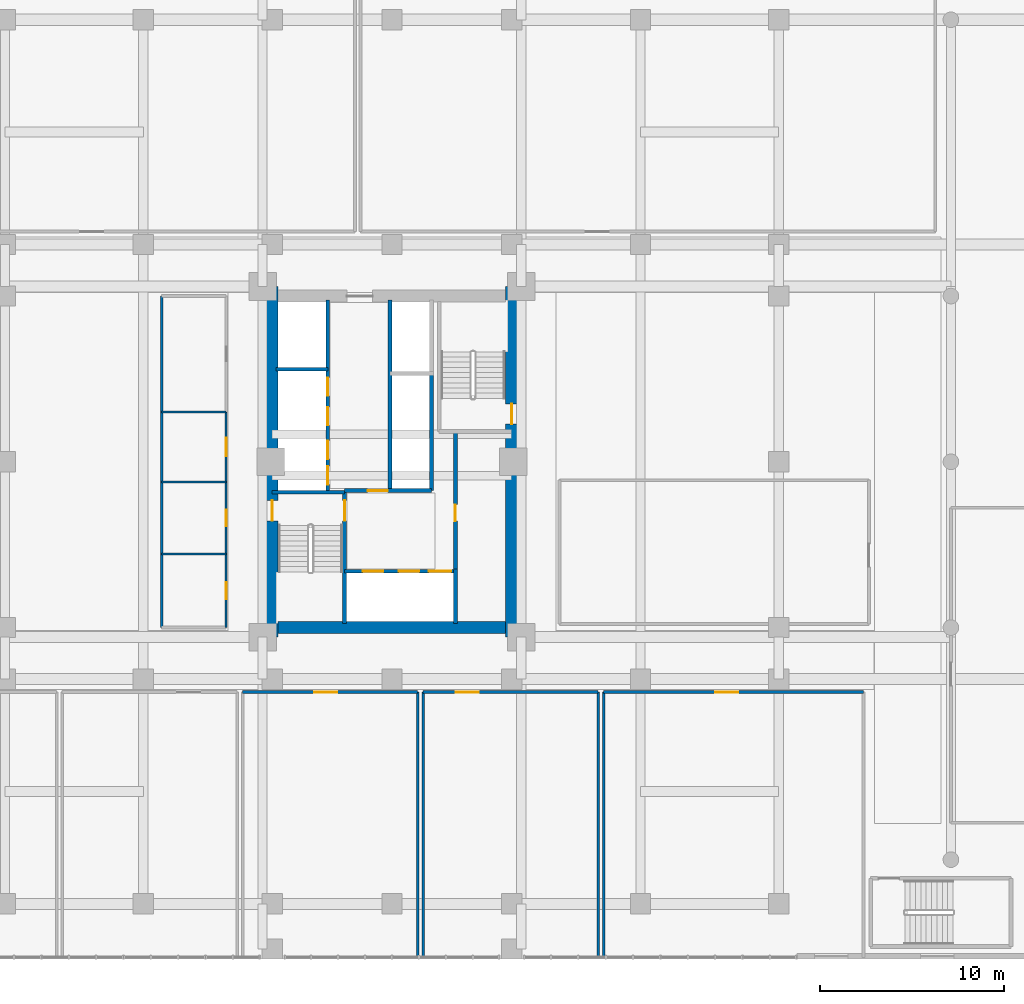
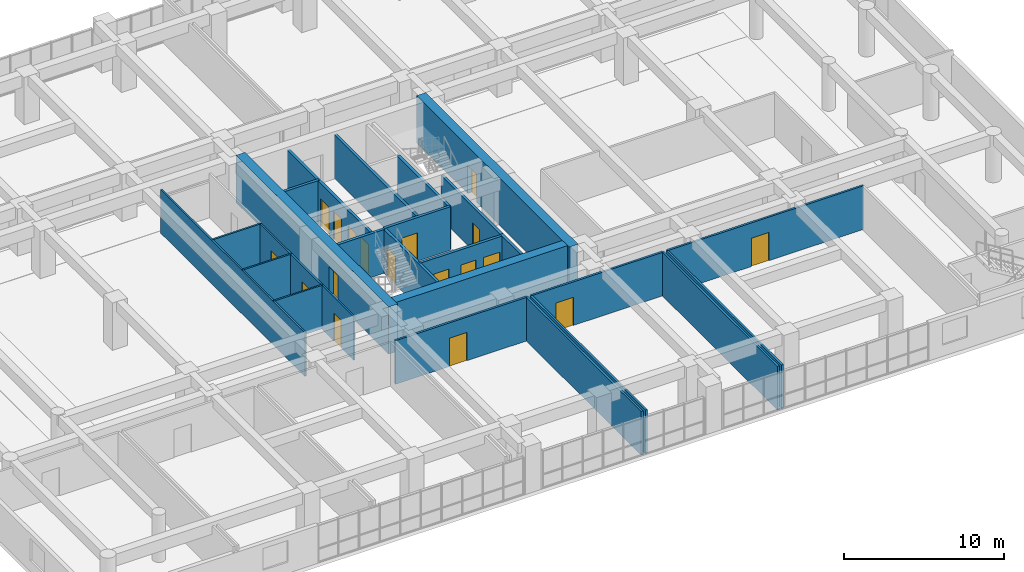
# One storey, part 15 of 27: 27 walls, 18 doors, 18 openings.
"""IFC4 building model written with IfcOpenShell, lengths in metres."""

from ifc_helpers import new_model, si_unit, direction, frame, frame_2d, origin, place, context, subcontext, project, spatial, rectangle, extrude, source, transform, mapped, material, layer, layer_set, type_object, element, fill, save


model = new_model("IFC4")

# Units and contexts
model_context = context("Model", 3, precision=1e-05, world=origin(), true_north=direction((0.0, 1.0)))
body_context = subcontext(model_context, "Body", "Model", "MODEL_VIEW")
ifc_project = project(units=[si_unit("LENGTHUNIT", "METRE"), si_unit("AREAUNIT", "SQUARE_METRE"), si_unit("VOLUMEUNIT", "CUBIC_METRE"), si_unit("PLANEANGLEUNIT", "RADIAN"), si_unit("MASSUNIT", "GRAM", prefix="KILO")], contexts=[model_context])

# Site, building, storey
site_placement = place(None, origin())
site = spatial("IfcSite", under=ifc_project, at=site_placement, CompositionType="ELEMENT")
building_placement = place(site_placement, origin())
building = spatial("IfcBuilding", under=site, at=building_placement, Name="Saelheon Loggia Tower", CompositionType="ELEMENT")
storey_placement = place(building_placement, frame((0.0, 0.0, 4.199951171875)))
storey = spatial("IfcBuildingStorey", under=building, at=storey_placement, Name="L01", CompositionType="ELEMENT", Elevation=4.199951171875)

# Wall, opening, door
ifc_material_1 = material(Name="Concrete C60/75", Category="concrete")
ifc_layer_1 = layer(ifc_material_1, 0.64990234375)
ifc_layer_set_1 = layer_set([ifc_layer_1], Name="Concrete C60/75")
wall_type_1 = type_object("IfcWallType", Name="Wall_CoreShear_650", PredefinedType="SHEAR", material=ifc_layer_set_1)
wall_1_placement = place(storey_placement, frame((31.5, 17.47998046875, 0.0), z_axis=(0.0, 0.0, 1.0), x_axis=(0.0, 1.0, 0.0)))
wall_1 = element("IfcWall", 1, at=wall_1_placement, inside=storey, type_object=wall_type_1, Name="L01 Core Shear Wall West", PredefinedType="SHEAR", context=body_context, shape_type="SweptSolid", body=[
    extrude(rectangle(XDim=19.0400390625, YDim=0.64990234375, at=frame_2d((9.52001953125, 0.0))), origin(), (0.0, 0.0, 1.0), 3.60009765625),
])
opening_1_placement = place(wall_1_placement, frame((6.320068359375, 0.0, 0.0)))
opening_1 = element("IfcOpeningElement", 2, at=opening_1_placement, cuts=wall_1, Name="Opening D-FD2", PredefinedType="OPENING", context=body_context, shape_type="SweptSolid", body=[
    extrude(rectangle(XDim=1.10009765625, YDim=2.14990234375, at=frame_2d((0.550048828125, 1.074951171875))), frame((0.0, 0.3369140625, 0.0), z_axis=(0.0, -1.0, 0.0), x_axis=(1.0, 0.0, 0.0)), (0.0, 0.0, 1.0), 0.673828125),
])
ifc_material_2 = material(Name="Galvanised Steel Fire Door", Category="steel")
door_type_1 = type_object("IfcDoorType", Name="Door_Fire_FD60_1100", OperationType="NOTDEFINED", PredefinedType="DOOR", material=ifc_material_2)
shared_shape_1 = source(origin(), body_context, "Body", "SweptSolid", [
    extrude(rectangle(XDim=1.10009765625, YDim=2.14990234375, at=frame_2d((0.550048828125, 1.074951171875))), frame((0.0, 0.02490234375, 0.0), z_axis=(0.0, -1.0, 0.0), x_axis=(1.0, 0.0, 0.0)), (0.0, 0.0, 1.0), 0.050048828125),
])
door_1_placement = place(opening_1_placement, origin())
door_1 = element("IfcDoor", 3, at=door_1_placement, inside=storey, type_object=door_type_1, Name="L01 Stair ST1 Corridor Door", OperationType="SINGLE_SWING_LEFT", OverallHeight=2.14990234375, OverallWidth=1.10009765625, PredefinedType="DOOR", context=body_context, shape_type="MappedRepresentation", body=[
    mapped(shared_shape_1, transform((0.0, 0.0, 0.0), scale=1.0)),
])
fill(opening_1, door_1)

wall_2_placement = place(storey_placement, frame((44.5, 17.47998046875, 0.0), z_axis=(0.0, 0.0, 1.0), x_axis=(0.0, 1.0, 0.0)))
wall_2 = element("IfcWall", 4, at=wall_2_placement, inside=storey, type_object=wall_type_1, Name="L01 Core Shear Wall East", PredefinedType="SHEAR", context=body_context, shape_type="SweptSolid", body=[
    extrude(rectangle(XDim=19.0400390625, YDim=0.64990234375, at=frame_2d((9.52001953125, 0.0))), origin(), (0.0, 0.0, 1.0), 3.60009765625),
])
opening_2_placement = place(wall_2_placement, frame((12.670166015625, 0.0, 0.0), z_axis=(0.0, 0.0, 1.0), x_axis=(-1.0, 0.0, 0.0)))
opening_2 = element("IfcOpeningElement", 5, at=opening_2_placement, cuts=wall_2, Name="Opening D-FD2", PredefinedType="OPENING", context=body_context, shape_type="SweptSolid", body=[
    extrude(rectangle(XDim=1.10009765625, YDim=2.14990234375, at=frame_2d((0.550048828125, 1.074951171875))), frame((0.0, 0.3369140625, 0.0), z_axis=(0.0, -1.0, 0.0), x_axis=(1.0, 0.0, 0.0)), (0.0, 0.0, 1.0), 0.673828125),
])
door_2_placement = place(opening_2_placement, origin())
door_2 = element("IfcDoor", 6, at=door_2_placement, inside=storey, type_object=door_type_1, Name="L01 Stair ST2 Corridor Door", OperationType="SINGLE_SWING_RIGHT", OverallHeight=2.14990234375, OverallWidth=1.10009765625, PredefinedType="DOOR", context=body_context, shape_type="MappedRepresentation", body=[
    mapped(shared_shape_1, transform((0.0, 0.0, 0.0), scale=1.0)),
])
fill(opening_2, door_2)

# Wall
wall_3_placement = place(storey_placement, frame((31.824951171875, 18.0, 0.0), z_axis=(0.0, 0.0, 1.0), x_axis=(1.0, 0.0, 0.0)))
element("IfcWall", 7, at=wall_3_placement, inside=storey, type_object=wall_type_1, Name="L01 Core Shear Wall South", PredefinedType="SHEAR", context=body_context, shape_type="SweptSolid", body=[
    extrude(rectangle(XDim=12.35009765625, YDim=0.64990234375, at=frame_2d((6.175048828125, 0.0))), origin(), (0.0, 0.0, 1.0), 3.60009765625),
])

# Wall, opening, door
ifc_material_3 = material(Name="Lightweight Autoclaved Aerated Concrete Block and Acoustic Gypsum", Category="concrete")
ifc_layer_2 = layer(ifc_material_3, 0.14990234375)
ifc_layer_set_2 = layer_set([ifc_layer_2], Name="Lightweight Autoclaved Aerated Concrete Block and Acoustic Gypsum")
wall_type_2 = type_object("IfcWallType", Name="Wall_Part_150", PredefinedType="PARTITIONING", material=ifc_layer_set_2)
wall_4_placement = place(storey_placement, frame((29.89990234375, 14.5, 0.0), z_axis=(0.0, 0.0, 1.0), x_axis=(1.0, 0.0, 0.0)))
wall_4 = element("IfcWall", 8, at=wall_4_placement, inside=storey, type_object=wall_type_2, Name="PW-L01-FAM1B-N", PredefinedType="PARTITIONING", context=body_context, shape_type="SweptSolid", body=[
    extrude(rectangle(XDim=9.5, YDim=0.14990234375, at=frame_2d((4.75, 0.0))), origin(), (0.0, 0.0, 1.0), 3.320068359375),
])
opening_3_placement = place(wall_4_placement, frame((3.88916015625, 0.0, 0.0)))
opening_3 = element("IfcOpeningElement", 9, at=opening_3_placement, cuts=wall_4, Name="Opening D-CL1", PredefinedType="OPENING", context=body_context, shape_type="SweptSolid", body=[
    extrude(rectangle(XDim=1.25, YDim=2.14990234375, at=frame_2d((0.625, 1.074951171875))), frame((0.0, 0.0869140625, 0.0), z_axis=(0.0, -1.0, 0.0), x_axis=(1.0, 0.0, 0.0)), (0.0, 0.0, 1.0), 0.173828125),
])
ifc_material_4 = material(Name="Antimicrobial Hospital Laminate Door", Category="timber")
door_type_2 = type_object("IfcDoorType", Name="Door_Clinic_1250", OperationType="NOTDEFINED", PredefinedType="DOOR", material=ifc_material_4)
shared_shape_2 = source(origin(), body_context, "Body", "SweptSolid", [
    extrude(rectangle(XDim=1.25, YDim=2.14990234375, at=frame_2d((0.625, 1.074951171875))), frame((0.0, 0.02490234375, 0.0), z_axis=(0.0, -1.0, 0.0), x_axis=(1.0, 0.0, 0.0)), (0.0, 0.0, 1.0), 0.050048828125),
])
door_3_placement = place(opening_3_placement, origin())
door_3 = element("IfcDoor", 10, at=door_3_placement, inside=storey, type_object=door_type_2, Name="L01 Family Medicine Clinic B Door", OperationType="SINGLE_SWING_LEFT", OverallHeight=2.14990234375, OverallWidth=1.25, PredefinedType="DOOR", context=body_context, shape_type="MappedRepresentation", body=[
    mapped(shared_shape_2, transform((0.0, 0.0, 0.0), scale=1.0)),
])
fill(opening_3, door_3)

# Wall
wall_5_placement = place(storey_placement, frame((39.39990234375, 0.10009765625, 0.0), z_axis=(0.0, 0.0, 1.0), x_axis=(0.0, 1.0, 0.0)))
element("IfcWall", 11, at=wall_5_placement, inside=storey, type_object=wall_type_2, Name="PW-L01-FAM1B-E", PredefinedType="PARTITIONING", context=body_context, shape_type="SweptSolid", body=[
    extrude(rectangle(XDim=14.39990234375, YDim=0.14990234375, at=frame_2d((7.199951171875, 0.0))), origin(), (0.0, 0.0, 1.0), 3.320068359375),
])

# Wall, opening, door
wall_6_placement = place(storey_placement, frame((39.699951171875, 14.5, 0.0), z_axis=(0.0, 0.0, 1.0), x_axis=(1.0, 0.0, 0.0)))
wall_6 = element("IfcWall", 12, at=wall_6_placement, inside=storey, type_object=wall_type_2, Name="PW-L01-FAM2A-N", PredefinedType="PARTITIONING", context=body_context, shape_type="SweptSolid", body=[
    extrude(rectangle(XDim=9.5, YDim=0.14990234375, at=frame_2d((4.75, 0.0))), origin(), (0.0, 0.0, 1.0), 3.320068359375),
])
opening_4_placement = place(wall_6_placement, frame((1.765625, 0.0, 0.0)))
opening_4 = element("IfcOpeningElement", 13, at=opening_4_placement, cuts=wall_6, Name="Opening D-CL1", PredefinedType="OPENING", context=body_context, shape_type="SweptSolid", body=[
    extrude(rectangle(XDim=1.25, YDim=2.14990234375, at=frame_2d((0.625, 1.074951171875))), frame((0.0, 0.0869140625, 0.0), z_axis=(0.0, -1.0, 0.0), x_axis=(1.0, 0.0, 0.0)), (0.0, 0.0, 1.0), 0.173828125),
])
door_4_placement = place(opening_4_placement, origin())
door_4 = element("IfcDoor", 14, at=door_4_placement, inside=storey, type_object=door_type_2, Name="L01 Internal Medicine Clinic A Door", OperationType="SINGLE_SWING_RIGHT", OverallHeight=2.14990234375, OverallWidth=1.25, PredefinedType="DOOR", context=body_context, shape_type="MappedRepresentation", body=[
    mapped(shared_shape_2, transform((0.0, 0.0, 0.0), scale=1.0)),
])
fill(opening_4, door_4)

# Walls
for number, where, z_axis, x_axis, name in (
    (15, (39.699951171875, 0.10009765625, 0.0), (0.0, 0.0, 1.0), (0.0, 1.0, 0.0), "PW-L01-FAM2A-W"),
    (16, (49.199951171875, 0.10009765625, 0.0), (0.0, 0.0, 1.0), (0.0, 1.0, 0.0), "PW-L01-FAM2A-E"),
):
    element("IfcWall", number, at=place(storey_placement, frame(where, z_axis=z_axis, x_axis=x_axis)), inside=storey, type_object=wall_type_2, Name=name, PredefinedType="PARTITIONING", context=body_context, shape_type="SweptSolid", body=[
        extrude(rectangle(XDim=14.39990234375, YDim=0.14990234375, at=frame_2d((7.199951171875, 0.0))), origin(), (0.0, 0.0, 1.0), 3.320068359375),
    ])

# Wall, opening, door
wall_7_placement = place(storey_placement, frame((49.5, 14.5, 0.0), z_axis=(0.0, 0.0, 1.0), x_axis=(1.0, 0.0, 0.0)))
wall_7 = element("IfcWall", 17, at=wall_7_placement, inside=storey, type_object=wall_type_2, Name="PW-L01-FAM2B-N", PredefinedType="PARTITIONING", context=body_context, shape_type="SweptSolid", body=[
    extrude(rectangle(XDim=14.10009765625, YDim=0.14990234375, at=frame_2d((7.050048828125, 0.0))), origin(), (0.0, 0.0, 1.0), 3.320068359375),
])
opening_5_placement = place(wall_7_placement, frame((6.04541015625, 0.0, 0.0)))
opening_5 = element("IfcOpeningElement", 18, at=opening_5_placement, cuts=wall_7, Name="Opening D-CL1", PredefinedType="OPENING", context=body_context, shape_type="SweptSolid", body=[
    extrude(rectangle(XDim=1.25, YDim=2.14990234375, at=frame_2d((0.625, 1.074951171875))), frame((0.0, 0.0869140625, 0.0), z_axis=(0.0, -1.0, 0.0), x_axis=(1.0, 0.0, 0.0)), (0.0, 0.0, 1.0), 0.173828125),
])
door_5_placement = place(opening_5_placement, origin())
door_5 = element("IfcDoor", 19, at=door_5_placement, inside=storey, type_object=door_type_2, Name="L01 Cardiology Waiting Concourse Door", OperationType="SINGLE_SWING_LEFT", OverallHeight=2.14990234375, OverallWidth=1.25, PredefinedType="DOOR", context=body_context, shape_type="MappedRepresentation", body=[
    mapped(shared_shape_2, transform((0.0, 0.0, 0.0), scale=1.0)),
])
fill(opening_5, door_5)

# Walls
wall_8_placement = place(storey_placement, frame((49.5, 0.10009765625, 0.0), z_axis=(0.0, 0.0, 1.0), x_axis=(0.0, 1.0, 0.0)))
element("IfcWall", 20, at=wall_8_placement, inside=storey, type_object=wall_type_2, Name="PW-L01-FAM2B-W", PredefinedType="PARTITIONING", context=body_context, shape_type="SweptSolid", body=[
    extrude(rectangle(XDim=14.39990234375, YDim=0.14990234375, at=frame_2d((7.199951171875, 0.0))), origin(), (0.0, 0.0, 1.0), 3.320068359375),
])
ifc_material_5 = material(Name="Concrete C40/50", Category="concrete")
ifc_layer_3 = layer(ifc_material_5, 0.199951171875)
ifc_layer_set_3 = layer_set([ifc_layer_3], Name="Concrete C40/50")
wall_type_3 = type_object("IfcWallType", Name="Wall_Shaft_200", PredefinedType="PARTITIONING", material=ifc_layer_set_3)
wall_9_placement = place(storey_placement, frame((41.449951171875, 18.219970703125, 0.0), z_axis=(0.0, 0.0, 1.0), x_axis=(0.0, 1.0, 0.0)))
element("IfcWall", 21, at=wall_9_placement, inside=storey, type_object=wall_type_3, Name="CW-INT-L01-BOH-W0", PredefinedType="PARTITIONING", context=body_context, shape_type="SweptSolid", body=[
    extrude(rectangle(XDim=2.9599609375, YDim=0.199951171875, at=frame_2d((1.47998046875, 0.0))), origin(), (0.0, 0.0, 1.0), 3.320068359375),
])

# Wall, opening, door
wall_10_placement = place(storey_placement, frame((41.449951171875, 21.179931640625, 0.0), z_axis=(0.0, 0.0, 1.0), x_axis=(0.0, 1.0, 0.0)))
wall_10 = element("IfcWall", 22, at=wall_10_placement, inside=storey, type_object=wall_type_3, Name="CW-INT-L01-BOH-W1", PredefinedType="PARTITIONING", context=body_context, shape_type="SweptSolid", body=[
    extrude(rectangle(XDim=7.420166015625, YDim=0.199951171875, at=frame_2d((3.7099609375, 0.0))), origin(), (0.0, 0.0, 1.0), 3.320068359375),
])
opening_6_placement = place(wall_10_placement, frame((2.60009765625, 0.0, 0.0)))
opening_6 = element("IfcOpeningElement", 23, at=opening_6_placement, cuts=wall_10, Name="Opening D-RS1", PredefinedType="OPENING", context=body_context, shape_type="SweptSolid", body=[
    extrude(rectangle(XDim=0.89990234375, YDim=2.10009765625, at=frame_2d((0.449951171875, 1.050048828125))), frame((0.0, 0.112060546875, 0.0), z_axis=(0.0, -1.0, 0.0), x_axis=(1.0, 0.0, 0.0)), (0.0, 0.0, 1.0), 0.223876953125),
])
ifc_material_6 = material(Name="Galvanised Steel Riser Access Door", Category="steel")
door_type_3 = type_object("IfcDoorType", Name="Door_Riser_FD60", OperationType="NOTDEFINED", PredefinedType="DOOR", material=ifc_material_6)
shared_shape_3 = source(origin(), body_context, "Body", "SweptSolid", [
    extrude(rectangle(XDim=0.89990234375, YDim=2.10009765625, at=frame_2d((0.449951171875, 1.050048828125))), frame((0.0, 0.02490234375, 0.0), z_axis=(0.0, -1.0, 0.0), x_axis=(1.0, 0.0, 0.0)), (0.0, 0.0, 1.0), 0.050048828125),
])
door_6_placement = place(opening_6_placement, origin())
door_6 = element("IfcDoor", 24, at=door_6_placement, inside=storey, type_object=door_type_3, Name="L01 Core Service Store Door", OperationType="SINGLE_SWING_LEFT", OverallHeight=2.10009765625, OverallWidth=0.89990234375, PredefinedType="DOOR", context=body_context, shape_type="MappedRepresentation", body=[
    mapped(shared_shape_3, transform((0.0, 0.0, 0.0), scale=1.0)),
])
fill(opening_6, door_6)

# Wall
wall_11_placement = place(storey_placement, frame((40.14990234375, 25.43994140625, 0.0), z_axis=(0.0, 0.0, 1.0), x_axis=(0.0, 1.0, 0.0)))
element("IfcWall", 25, at=wall_11_placement, inside=storey, type_object=wall_type_3, Name="L01 Core Service Passage West Wall", PredefinedType="PARTITIONING", context=body_context, shape_type="SweptSolid", body=[
    extrude(rectangle(XDim=6.360107421875, YDim=0.199951171875, at=frame_2d((3.18017578125, 0.0))), origin(), (0.0, 0.0, 1.0), 3.320068359375),
])

# Wall, openings, doors
wall_12_placement = place(storey_placement, frame((35.429931640625, 21.06005859375, 0.0), z_axis=(0.0, 0.0, 1.0), x_axis=(1.0, 0.0, 0.0)))
wall_12 = element("IfcWall", 26, at=wall_12_placement, inside=storey, type_object=wall_type_3, Name="L01 Firefighting Lift Shaft Front Wall", PredefinedType="PARTITIONING", context=body_context, shape_type="SweptSolid", body=[
    extrude(rectangle(XDim=6.02001953125, YDim=0.199951171875, at=frame_2d((3.010009765625, 0.0))), origin(), (0.0, 0.0, 1.0), 3.320068359375),
])
opening_7_placement = place(wall_12_placement, frame((1.0, 0.0, 0.0)))
opening_7 = element("IfcOpeningElement", 27, at=opening_7_placement, cuts=wall_12, Name="Opening LD2", PredefinedType="OPENING", context=body_context, shape_type="SweptSolid", body=[
    extrude(rectangle(XDim=1.10009765625, YDim=2.14990234375, at=frame_2d((0.550048828125, 1.074951171875))), frame((0.0, 0.112060546875, 0.0), z_axis=(0.0, -1.0, 0.0), x_axis=(1.0, 0.0, 0.0)), (0.0, 0.0, 1.0), 0.223876953125),
])
opening_8_placement = place(wall_12_placement, frame((2.949951171875, 0.0, 0.0)))
opening_8 = element("IfcOpeningElement", 28, at=opening_8_placement, cuts=wall_12, Name="Opening LD2", PredefinedType="OPENING", context=body_context, shape_type="SweptSolid", body=[
    extrude(rectangle(XDim=1.10009765625, YDim=2.14990234375, at=frame_2d((0.550048828125, 1.074951171875))), frame((0.0, 0.112060546875, 0.0), z_axis=(0.0, -1.0, 0.0), x_axis=(1.0, 0.0, 0.0)), (0.0, 0.0, 1.0), 0.223876953125),
])
opening_9_placement = place(wall_12_placement, frame((4.580078125, 0.0, 0.0)))
opening_9 = element("IfcOpeningElement", 29, at=opening_9_placement, cuts=wall_12, Name="Opening LD3", PredefinedType="OPENING", context=body_context, shape_type="SweptSolid", body=[
    extrude(rectangle(XDim=1.199951171875, YDim=2.14990234375, at=frame_2d((0.60009765625, 1.074951171875))), frame((0.0, 0.112060546875, 0.0), z_axis=(0.0, -1.0, 0.0), x_axis=(1.0, 0.0, 0.0)), (0.0, 0.0, 1.0), 0.223876953125),
])
ifc_material_7 = material(Name="Firefighting Stainless Steel 316 Landing Door", Category="steel")
door_type_4 = type_object("IfcDoorType", Name="Door_Lift_LD2", OperationType="DOUBLE_DOOR_SLIDING", PredefinedType="DOOR", material=ifc_material_7)
door_7_placement = place(opening_7_placement, origin())
door_7 = element("IfcDoor", 30, at=door_7_placement, inside=storey, type_object=door_type_4, Name="L01 FF1 Landing Door", OperationType="DOUBLE_DOOR_SLIDING", OverallHeight=2.14990234375, OverallWidth=1.10009765625, PredefinedType="DOOR", context=body_context, shape_type="MappedRepresentation", body=[
    mapped(shared_shape_1, transform((0.0, 0.0, 0.0), scale=1.0)),
])
fill(opening_7, door_7)
door_8_placement = place(opening_8_placement, origin())
door_8 = element("IfcDoor", 31, at=door_8_placement, inside=storey, type_object=door_type_4, Name="L01 FF2 Landing Door", OperationType="DOUBLE_DOOR_SLIDING", OverallHeight=2.14990234375, OverallWidth=1.10009765625, PredefinedType="DOOR", context=body_context, shape_type="MappedRepresentation", body=[
    mapped(shared_shape_1, transform((0.0, 0.0, 0.0), scale=1.0)),
])
fill(opening_8, door_8)
ifc_material_8 = material(Name="Stretcher Lift Stainless Steel 304 Landing Door", Category="steel")
door_type_5 = type_object("IfcDoorType", Name="Door_Lift_LD3", OperationType="DOUBLE_DOOR_SLIDING", PredefinedType="DOOR", material=ifc_material_8)
shared_shape_4 = source(origin(), body_context, "Body", "SweptSolid", [
    extrude(rectangle(XDim=1.199951171875, YDim=2.14990234375, at=frame_2d((0.60009765625, 1.074951171875))), frame((0.0, 0.02490234375, 0.0), z_axis=(0.0, -1.0, 0.0), x_axis=(1.0, 0.0, 0.0)), (0.0, 0.0, 1.0), 0.050048828125),
])
door_9_placement = place(opening_9_placement, origin())
door_9 = element("IfcDoor", 32, at=door_9_placement, inside=storey, type_object=door_type_5, Name="L01 SV1 Landing Door", OperationType="DOUBLE_DOOR_SLIDING", OverallHeight=2.14990234375, OverallWidth=1.199951171875, PredefinedType="DOOR", context=body_context, shape_type="MappedRepresentation", body=[
    mapped(shared_shape_4, transform((0.0, 0.0, 0.0), scale=1.0)),
])
fill(opening_9, door_9)

# Wall, opening, door
wall_13_placement = place(storey_placement, frame((35.429931640625, 25.43994140625, 0.0), z_axis=(0.0, 0.0, 1.0), x_axis=(1.0, 0.0, 0.0)))
wall_13 = element("IfcWall", 33, at=wall_13_placement, inside=storey, type_object=wall_type_3, Name="L01 Firefighting Lobby Compartment Wall", PredefinedType="PARTITIONING", context=body_context, shape_type="SweptSolid", body=[
    extrude(rectangle(XDim=4.719970703125, YDim=0.199951171875, at=frame_2d((2.35986328125, 0.0))), origin(), (0.0, 0.0, 1.0), 3.320068359375),
])
opening_10_placement = place(wall_13_placement, frame((1.25, 0.0, 0.0)))
opening_10 = element("IfcOpeningElement", 34, at=opening_10_placement, cuts=wall_13, Name="Opening D-FD2", PredefinedType="OPENING", context=body_context, shape_type="SweptSolid", body=[
    extrude(rectangle(XDim=1.10009765625, YDim=2.14990234375, at=frame_2d((0.550048828125, 1.074951171875))), frame((0.0, 0.112060546875, 0.0), z_axis=(0.0, -1.0, 0.0), x_axis=(1.0, 0.0, 0.0)), (0.0, 0.0, 1.0), 0.223876953125),
])
door_10_placement = place(opening_10_placement, origin())
door_10 = element("IfcDoor", 35, at=door_10_placement, inside=storey, type_object=door_type_1, Name="L01 Firefighting Lobby Door", OperationType="SINGLE_SWING_RIGHT", OverallHeight=2.14990234375, OverallWidth=1.10009765625, PredefinedType="DOOR", context=body_context, shape_type="MappedRepresentation", body=[
    mapped(shared_shape_1, transform((0.0, 0.0, 0.0), scale=1.0)),
])
fill(opening_10, door_10)

# Wall, openings, doors
wall_14_placement = place(storey_placement, frame((34.52001953125, 25.43994140625, 0.0), z_axis=(0.0, 0.0, 1.0), x_axis=(0.0, 1.0, 0.0)))
wall_14 = element("IfcWall", 36, at=wall_14_placement, inside=storey, type_object=wall_type_3, Name="L01 West Passenger Lift Bank Wall", PredefinedType="PARTITIONING", context=body_context, shape_type="SweptSolid", body=[
    extrude(rectangle(XDim=10.340087890625, YDim=0.199951171875, at=frame_2d((5.169921875, 0.0))), origin(), (0.0, 0.0, 1.0), 3.320068359375),
])
opening_11_placement = place(wall_14_placement, frame((0.320068359375, 0.0, 0.0)))
opening_11 = element("IfcOpeningElement", 37, at=opening_11_placement, cuts=wall_14, Name="Opening LD1", PredefinedType="OPENING", context=body_context, shape_type="SweptSolid", body=[
    extrude(rectangle(XDim=1.0, YDim=2.14990234375, at=frame_2d((0.5, 1.074951171875))), frame((0.0, 0.112060546875, 0.0), z_axis=(0.0, -1.0, 0.0), x_axis=(1.0, 0.0, 0.0)), (0.0, 0.0, 1.0), 0.223876953125),
])
opening_12_placement = place(wall_14_placement, frame((1.7099609375, 0.0, 0.0)))
opening_12 = element("IfcOpeningElement", 38, at=opening_12_placement, cuts=wall_14, Name="Opening LD1", PredefinedType="OPENING", context=body_context, shape_type="SweptSolid", body=[
    extrude(rectangle(XDim=1.0, YDim=2.14990234375, at=frame_2d((0.5, 1.074951171875))), frame((0.0, 0.112060546875, 0.0), z_axis=(0.0, -1.0, 0.0), x_axis=(1.0, 0.0, 0.0)), (0.0, 0.0, 1.0), 0.223876953125),
])
opening_13_placement = place(wall_14_placement, frame((3.534912109375, 0.0, 0.0)))
opening_13 = element("IfcOpeningElement", 39, at=opening_13_placement, cuts=wall_14, Name="Opening LD1", PredefinedType="OPENING", context=body_context, shape_type="SweptSolid", body=[
    extrude(rectangle(XDim=1.0, YDim=2.14990234375, at=frame_2d((0.5, 1.074951171875))), frame((0.0, 0.112060546875, 0.0), z_axis=(0.0, -1.0, 0.0), x_axis=(1.0, 0.0, 0.0)), (0.0, 0.0, 1.0), 0.223876953125),
])
opening_14_placement = place(wall_14_placement, frame((5.135009765625, 0.0, 0.0)))
opening_14 = element("IfcOpeningElement", 40, at=opening_14_placement, cuts=wall_14, Name="Opening LD1", PredefinedType="OPENING", context=body_context, shape_type="SweptSolid", body=[
    extrude(rectangle(XDim=1.0, YDim=2.14990234375, at=frame_2d((0.5, 1.074951171875))), frame((0.0, 0.112060546875, 0.0), z_axis=(0.0, -1.0, 0.0), x_axis=(1.0, 0.0, 0.0)), (0.0, 0.0, 1.0), 0.223876953125),
])
ifc_material_9 = material(Name="Brushed Stainless Steel 304 Landing Door", Category="steel")
door_type_6 = type_object("IfcDoorType", Name="Door_Lift_LD1", OperationType="DOUBLE_DOOR_SLIDING", PredefinedType="DOOR", material=ifc_material_9)
shared_shape_5 = source(origin(), body_context, "Body", "SweptSolid", [
    extrude(rectangle(XDim=1.0, YDim=2.14990234375, at=frame_2d((0.5, 1.074951171875))), frame((0.0, 0.02490234375, 0.0), z_axis=(0.0, -1.0, 0.0), x_axis=(1.0, 0.0, 0.0)), (0.0, 0.0, 1.0), 0.050048828125),
])
door_11_placement = place(opening_11_placement, origin())
door_11 = element("IfcDoor", 41, at=door_11_placement, inside=storey, type_object=door_type_6, Name="L01 PL1 Landing Door", OperationType="DOUBLE_DOOR_SLIDING", OverallHeight=2.14990234375, OverallWidth=1.0, PredefinedType="DOOR", context=body_context, shape_type="MappedRepresentation", body=[
    mapped(shared_shape_5, transform((0.0, 0.0, 0.0), scale=1.0)),
])
fill(opening_11, door_11)
door_12_placement = place(opening_12_placement, origin())
door_12 = element("IfcDoor", 42, at=door_12_placement, inside=storey, type_object=door_type_6, Name="L01 PL2 Landing Door", OperationType="DOUBLE_DOOR_SLIDING", OverallHeight=2.14990234375, OverallWidth=1.0, PredefinedType="DOOR", context=body_context, shape_type="MappedRepresentation", body=[
    mapped(shared_shape_5, transform((0.0, 0.0, 0.0), scale=1.0)),
])
fill(opening_12, door_12)
door_13_placement = place(opening_13_placement, origin())
door_13 = element("IfcDoor", 43, at=door_13_placement, inside=storey, type_object=door_type_6, Name="L01 PL3 Landing Door", OperationType="DOUBLE_DOOR_SLIDING", OverallHeight=2.14990234375, OverallWidth=1.0, PredefinedType="DOOR", context=body_context, shape_type="MappedRepresentation", body=[
    mapped(shared_shape_5, transform((0.0, 0.0, 0.0), scale=1.0)),
])
fill(opening_13, door_13)
door_14_placement = place(opening_14_placement, origin())
door_14 = element("IfcDoor", 44, at=door_14_placement, inside=storey, type_object=door_type_6, Name="L01 PL4 Landing Door", OperationType="DOUBLE_DOOR_SLIDING", OverallHeight=2.14990234375, OverallWidth=1.0, PredefinedType="DOOR", context=body_context, shape_type="MappedRepresentation", body=[
    mapped(shared_shape_5, transform((0.0, 0.0, 0.0), scale=1.0)),
])
fill(opening_14, door_14)

# Walls
wall_15_placement = place(storey_placement, frame((31.719970703125, 32.02001953125, 0.0), z_axis=(0.0, 0.0, 1.0), x_axis=(1.0, 0.0, 0.0)))
element("IfcWall", 45, at=wall_15_placement, inside=storey, type_object=wall_type_3, Name="L01 West High-Rise Shaft Divider", PredefinedType="PARTITIONING", context=body_context, shape_type="SweptSolid", body=[
    extrude(rectangle(XDim=2.800048828125, YDim=0.199951171875, at=frame_2d((1.39990234375, 0.0))), origin(), (0.0, 0.0, 1.0), 3.320068359375),
])
wall_16_placement = place(storey_placement, frame((37.89990234375, 25.43994140625, 0.0), z_axis=(0.0, 0.0, 1.0), x_axis=(0.0, 1.0, 0.0)))
element("IfcWall", 46, at=wall_16_placement, inside=storey, type_object=wall_type_3, Name="L01 East Passenger Lift Bank Wall", PredefinedType="PARTITIONING", context=body_context, shape_type="SweptSolid", body=[
    extrude(rectangle(XDim=10.340087890625, YDim=0.199951171875, at=frame_2d((5.169921875, 0.0))), origin(), (0.0, 0.0, 1.0), 3.320068359375),
])

# Wall, opening, door
ifc_material_10 = material(Name="Concrete C45/55", Category="concrete")
ifc_layer_4 = layer(ifc_material_10, 0.199951171875)
ifc_layer_set_4 = layer_set([ifc_layer_4], Name="Concrete C45/55")
wall_type_4 = type_object("IfcWallType", Name="Wall_StairShaft_RC200", PredefinedType="SOLIDWALL", material=ifc_layer_set_4)
wall_17_placement = place(storey_placement, frame((35.429931640625, 18.219970703125, 0.0), z_axis=(0.0, 0.0, 1.0), x_axis=(0.0, 1.0, 0.0)))
wall_17 = element("IfcWall", 47, at=wall_17_placement, inside=storey, type_object=wall_type_4, Name="L01 Stair ST1 Shaft Wall", PredefinedType="SOLIDWALL", context=body_context, shape_type="SweptSolid", body=[
    extrude(rectangle(XDim=7.219970703125, YDim=0.199951171875, at=frame_2d((3.60986328125, 0.0))), origin(), (0.0, 0.0, 1.0), 3.320068359375),
])
opening_15_placement = place(wall_17_placement, frame((6.68017578125, 0.0, 0.0), z_axis=(0.0, 0.0, 1.0), x_axis=(-1.0, 0.0, 0.0)))
opening_15 = element("IfcOpeningElement", 48, at=opening_15_placement, cuts=wall_17, Name="Opening D-FD2", PredefinedType="OPENING", context=body_context, shape_type="SweptSolid", body=[
    extrude(rectangle(XDim=1.10009765625, YDim=2.14990234375, at=frame_2d((0.550048828125, 1.074951171875))), frame((0.0, 0.112060546875, 0.0), z_axis=(0.0, -1.0, 0.0), x_axis=(1.0, 0.0, 0.0)), (0.0, 0.0, 1.0), 0.223876953125),
])
door_15_placement = place(opening_15_placement, origin())
door_15 = element("IfcDoor", 49, at=door_15_placement, inside=storey, type_object=door_type_1, Name="L01 Stair ST1 Lobby Door", OperationType="SINGLE_SWING_LEFT", OverallHeight=2.14990234375, OverallWidth=1.10009765625, PredefinedType="DOOR", context=body_context, shape_type="MappedRepresentation", body=[
    mapped(shared_shape_1, transform((0.0, 0.0, 0.0), scale=1.0)),
])
fill(opening_15, door_15)

# Walls
wall_18_placement = place(storey_placement, frame((31.5, 25.35009765625, 0.0), z_axis=(0.0, 0.0, 1.0), x_axis=(1.0, 0.0, 0.0)))
element("IfcWall", 50, at=wall_18_placement, inside=storey, type_object=wall_type_4, Name="L01 Stair ST1 North Wall", PredefinedType="SOLIDWALL", context=body_context, shape_type="SweptSolid", body=[
    extrude(rectangle(XDim=3.929931640625, YDim=0.199951171875, at=frame_2d((1.96484375, 0.0))), origin(), (0.0, 0.0, 1.0), 3.320068359375),
])
ifc_material_11 = material(Name="Moisture-Resistant Cement Board Partition", Category="gypsum")
ifc_layer_5 = layer(ifc_material_11, 0.1201171875)
ifc_layer_set_5 = layer_set([ifc_layer_5], Name="Moisture-Resistant Cement Board Partition")
wall_type_5 = type_object("IfcWallType", Name="Wall_WetPart_120", PredefinedType="PARTITIONING", material=ifc_layer_set_5)
wall_19_placement = place(storey_placement, frame((25.5, 18.0, 0.0), z_axis=(0.0, 0.0, 1.0), x_axis=(0.0, 1.0, 0.0)))
element("IfcWall", 51, at=wall_19_placement, inside=storey, type_object=wall_type_5, Name="PW-L01-WCS-W", PredefinedType="PARTITIONING", context=body_context, shape_type="SweptSolid", body=[
    extrude(rectangle(XDim=18.0, YDim=0.1201171875, at=frame_2d((9.0, 0.0))), origin(), (0.0, 0.0, 1.0), 3.320068359375),
])

# Wall, opening, door
wall_20_placement = place(storey_placement, frame((29.0, 18.0, 0.0), z_axis=(0.0, 0.0, 1.0), x_axis=(0.0, 1.0, 0.0)))
wall_20 = element("IfcWall", 52, at=wall_20_placement, inside=storey, type_object=wall_type_5, Name="PW-L01-WCS-E1", PredefinedType="PARTITIONING", context=body_context, shape_type="SweptSolid", body=[
    extrude(rectangle(XDim=4.0, YDim=0.1201171875, at=frame_2d((2.0, 0.0))), origin(), (0.0, 0.0, 1.0), 3.320068359375),
])
opening_16_placement = place(wall_20_placement, frame((1.550048828125, 0.0, 0.0)))
opening_16 = element("IfcOpeningElement", 53, at=opening_16_placement, cuts=wall_20, Name="Opening D-IN2", PredefinedType="OPENING", context=body_context, shape_type="SweptSolid", body=[
    extrude(rectangle(XDim=0.89990234375, YDim=2.10009765625, at=frame_2d((0.449951171875, 1.050048828125))), frame((0.0, 0.072021484375, 0.0), z_axis=(0.0, -1.0, 0.0), x_axis=(1.0, 0.0, 0.0)), (0.0, 0.0, 1.0), 0.14404296875),
])
ifc_material_12 = material(Name="Engineered Oak Flush Door", Category="timber")
door_type_7 = type_object("IfcDoorType", Name="Door_Int_900", OperationType="NOTDEFINED", PredefinedType="DOOR", material=ifc_material_12)
door_16_placement = place(opening_16_placement, origin())
door_16 = element("IfcDoor", 54, at=door_16_placement, inside=storey, type_object=door_type_7, Name="L01 Male WC Door", OperationType="SINGLE_SWING_RIGHT", OverallHeight=2.10009765625, OverallWidth=0.89990234375, PredefinedType="DOOR", context=body_context, shape_type="MappedRepresentation", body=[
    mapped(shared_shape_3, transform((0.0, 0.0, 0.0), scale=1.0)),
])
fill(opening_16, door_16)

wall_21_placement = place(storey_placement, frame((29.0, 22.0, 0.0), z_axis=(0.0, 0.0, 1.0), x_axis=(0.0, 1.0, 0.0)))
wall_21 = element("IfcWall", 55, at=wall_21_placement, inside=storey, type_object=wall_type_5, Name="PW-L01-WCS-E2", PredefinedType="PARTITIONING", context=body_context, shape_type="SweptSolid", body=[
    extrude(rectangle(XDim=3.89990234375, YDim=0.1201171875, at=frame_2d((1.949951171875, 0.0))), origin(), (0.0, 0.0, 1.0), 3.320068359375),
])
opening_17_placement = place(wall_21_placement, frame((1.5, 0.0, 0.0)))
opening_17 = element("IfcOpeningElement", 56, at=opening_17_placement, cuts=wall_21, Name="Opening D-IN2", PredefinedType="OPENING", context=body_context, shape_type="SweptSolid", body=[
    extrude(rectangle(XDim=0.89990234375, YDim=2.10009765625, at=frame_2d((0.449951171875, 1.050048828125))), frame((0.0, 0.072021484375, 0.0), z_axis=(0.0, -1.0, 0.0), x_axis=(1.0, 0.0, 0.0)), (0.0, 0.0, 1.0), 0.14404296875),
])
door_17_placement = place(opening_17_placement, origin())
door_17 = element("IfcDoor", 57, at=door_17_placement, inside=storey, type_object=door_type_7, Name="L01 Female WC Door", OperationType="SINGLE_SWING_LEFT", OverallHeight=2.10009765625, OverallWidth=0.89990234375, PredefinedType="DOOR", context=body_context, shape_type="MappedRepresentation", body=[
    mapped(shared_shape_3, transform((0.0, 0.0, 0.0), scale=1.0)),
])
fill(opening_17, door_17)

wall_22_placement = place(storey_placement, frame((29.0, 25.89990234375, 0.0), z_axis=(0.0, 0.0, 1.0), x_axis=(0.0, 1.0, 0.0)))
wall_22 = element("IfcWall", 58, at=wall_22_placement, inside=storey, type_object=wall_type_5, Name="PW-L01-WCS-E3", PredefinedType="PARTITIONING", context=body_context, shape_type="SweptSolid", body=[
    extrude(rectangle(XDim=3.800048828125, YDim=0.1201171875, at=frame_2d((1.89990234375, 0.0))), origin(), (0.0, 0.0, 1.0), 3.320068359375),
])
opening_18_placement = place(wall_22_placement, frame((1.39990234375, 0.0, 0.0)))
opening_18 = element("IfcOpeningElement", 59, at=opening_18_placement, cuts=wall_22, Name="Opening D-AC1", PredefinedType="OPENING", context=body_context, shape_type="SweptSolid", body=[
    extrude(rectangle(XDim=1.0, YDim=2.10009765625, at=frame_2d((0.5, 1.050048828125))), frame((0.0, 0.072021484375, 0.0), z_axis=(0.0, -1.0, 0.0), x_axis=(1.0, 0.0, 0.0)), (0.0, 0.0, 1.0), 0.14404296875),
])
ifc_material_13 = material(Name="Accessible Laminate Flush Door", Category="timber")
door_type_8 = type_object("IfcDoorType", Name="Door_Acc_1000", OperationType="NOTDEFINED", PredefinedType="DOOR", material=ifc_material_13)
shared_shape_6 = source(origin(), body_context, "Body", "SweptSolid", [
    extrude(rectangle(XDim=1.0, YDim=2.10009765625, at=frame_2d((0.5, 1.050048828125))), frame((0.0, 0.02490234375, 0.0), z_axis=(0.0, -1.0, 0.0), x_axis=(1.0, 0.0, 0.0)), (0.0, 0.0, 1.0), 0.050048828125),
])
door_18_placement = place(opening_18_placement, origin())
door_18 = element("IfcDoor", 60, at=door_18_placement, inside=storey, type_object=door_type_8, Name="L01 Accessible WC Door", OperationType="SINGLE_SWING_RIGHT", OverallHeight=2.10009765625, OverallWidth=1.0, PredefinedType="DOOR", context=body_context, shape_type="MappedRepresentation", body=[
    mapped(shared_shape_6, transform((0.0, 0.0, 0.0), scale=1.0)),
])
fill(opening_18, door_18)

# Walls
for number, where, z_axis, x_axis, name in (
    (61, (25.5, 22.0, 0.0), (0.0, 0.0, 1.0), (1.0, 0.0, 0.0), "PW-L01-WCS-D1"),
    (62, (25.5, 25.89990234375, 0.0), (0.0, 0.0, 1.0), (1.0, 0.0, 0.0), "PW-L01-WCS-D2"),
    (63, (25.5, 29.699951171875, 0.0), (0.0, 0.0, 1.0), (1.0, 0.0, 0.0), "PW-L01-WCS-D3"),
):
    element("IfcWall", number, at=place(storey_placement, frame(where, z_axis=z_axis, x_axis=x_axis)), inside=storey, type_object=wall_type_5, Name=name, PredefinedType="PARTITIONING", context=body_context, shape_type="SweptSolid", body=[
        extrude(rectangle(XDim=3.5, YDim=0.1201171875, at=frame_2d((1.75, 0.0))), origin(), (0.0, 0.0, 1.0), 3.320068359375),
    ])

save(model, "model.ifc")
